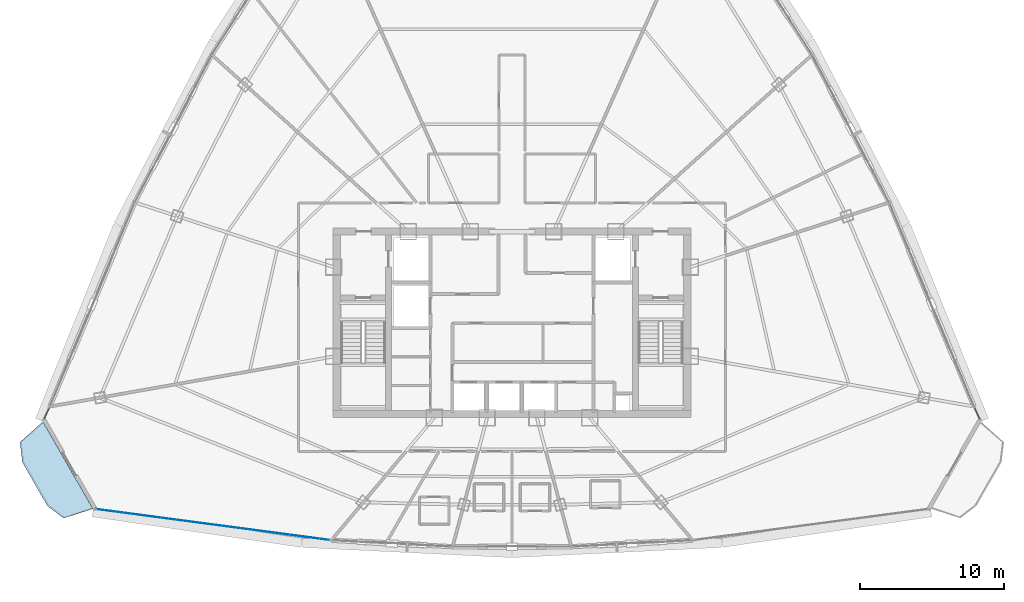
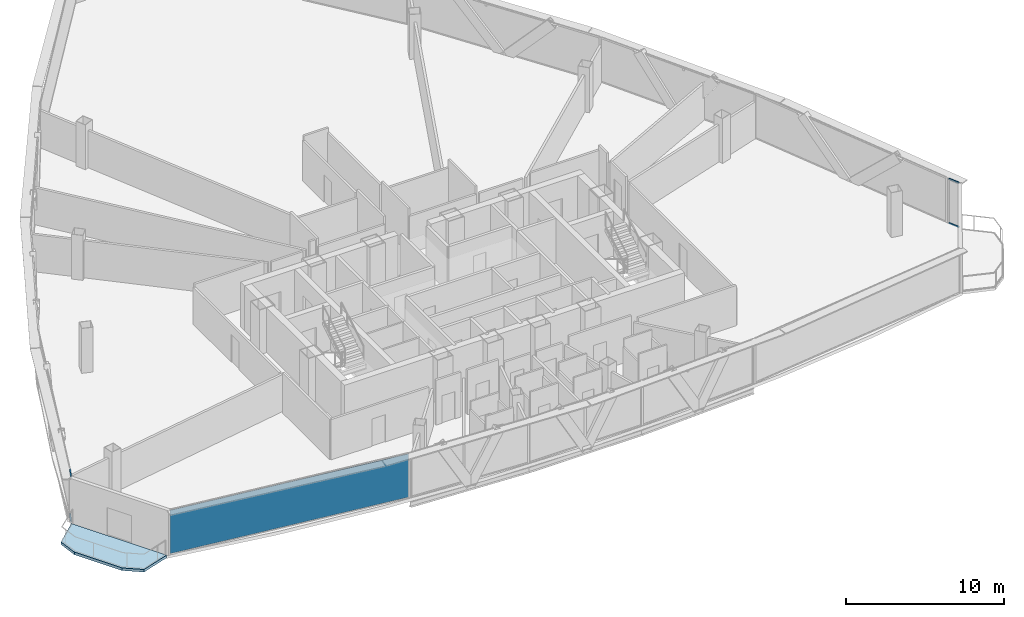
# One storey, part 27 of 37: 4 members, 1 plate, 1 slab, 3 elements without a shape of their own.
"""IFC4 building model written with IfcOpenShell, lengths in metres."""

from ifc_helpers import new_model, si_unit, direction, frame, origin, origin_2d, place, context, subcontext, project, spatial, polyline, rectangle, hollow_rectangle, outline, extrude, source, transform, mapped, material, layer, layer_set, material_profile, profile_set, type_object, element, aggregate, save


model = new_model("IFC4")

# Units and contexts
model_context = context("Model", 3, precision=1e-05, world=origin(), true_north=direction((0.0, 1.0)))
body_context = subcontext(model_context, "Body", "Model", "MODEL_VIEW")
ifc_project = project(units=[si_unit("LENGTHUNIT", "METRE"), si_unit("AREAUNIT", "SQUARE_METRE"), si_unit("VOLUMEUNIT", "CUBIC_METRE"), si_unit("PLANEANGLEUNIT", "RADIAN"), si_unit("MASSUNIT", "GRAM", prefix="KILO"), si_unit("THERMODYNAMICTEMPERATUREUNIT", "KELVIN"), si_unit("POWERUNIT", "WATT")], contexts=[model_context])

# Site, building, storey
site_placement = place(None, origin())
site = spatial("IfcSite", under=ifc_project, at=site_placement, CompositionType="ELEMENT")
building_placement = place(site_placement, origin())
building = spatial("IfcBuilding", under=site, at=building_placement, Name="Yunzhuo Pagoda Commons", CompositionType="ELEMENT")
storey_placement = place(building_placement, frame((0.0, 0.0, 281.2900390625)))
storey = spatial("IfcBuildingStorey", under=building, at=storey_placement, Name="L70", CompositionType="ELEMENT", Elevation=281.2900390625)

# Curtain wall, members
ifc_material_1 = material(Name="Anodized aluminium 6063-T6", Category="aluminium")
ifc_layer_1 = layer(ifc_material_1, 0.139892578125)
ifc_layer_set_1 = layer_set([ifc_layer_1], Name="Anodized aluminium 6063-T6")
curtain_wall_type = type_object("IfcCurtainWallType", Name="CW-HI High-Zone Ribbon Curtain Wall", PredefinedType="NOTDEFINED", material=ifc_layer_set_1)
curtain_wall_1_placement = place(storey_placement, origin())
curtain_wall_1 = element("IfcCurtainWall", 1, at=curtain_wall_1_placement, inside=storey, type_object=curtain_wall_type, Name="L70 curtain wall CW-L70-F2B1", PredefinedType="NOTDEFINED")
ifc_material_profile = material_profile(ifc_material_1, hollow_rectangle(XDim=0.054931640625, YDim=0.1201171875, WallThickness=0.00341796875, at=origin_2d()), Name="Anodized aluminium 6063-T6")
ifc_profile_set = profile_set([ifc_material_profile], Name="Anodized aluminium 6063-T6")
member_type = type_object("IfcMemberType", Name="CW-HI-T Transom RHS 120x55x3.5", PredefinedType="USERDEFINED", material=ifc_profile_set)
shared_shape_1 = source(origin(), body_context, "Body", "SweptSolid", [
    extrude(hollow_rectangle(XDim=0.054931640625, YDim=0.1201171875, WallThickness=0.00341796875, at=origin_2d()), origin(), (0.0, 0.0, 1.0), 0.802490234375),
])
member_1_placement = place(storey_placement, frame((80.54541015625, 27.180908203125, 0.02734375), z_axis=(-0.421602795033, 0.906780614714, 0.0), x_axis=(-0.906780614714, -0.421602795033, 0.0)))
member_1 = element("IfcMember", 2, at=member_1_placement, type_object=member_type, Name="CW transom 1.1", ObjectType="TRANSOM", PredefinedType="USERDEFINED", context=body_context, shape_type="MappedRepresentation", body=[
    mapped(shared_shape_1, transform((0.0, 0.0, 0.0), scale=1.0)),
])
member_2_placement = place(storey_placement, frame((80.54541015625, 27.180908203125, 3.4423828125), z_axis=(-0.421602795033, 0.906780614714, 0.0), x_axis=(-0.906780614714, -0.421602795033, 0.0)))
member_2 = element("IfcMember", 3, at=member_2_placement, type_object=member_type, Name="CW transom 1.2", ObjectType="TRANSOM", PredefinedType="USERDEFINED", context=body_context, shape_type="MappedRepresentation", body=[
    mapped(shared_shape_1, transform((0.0, 0.0, 0.0), scale=1.0)),
])
aggregate(curtain_wall_1, [member_1, member_2])

curtain_wall_2_placement = place(storey_placement, origin())
curtain_wall_2 = element("IfcCurtainWall", 4, at=curtain_wall_2_placement, inside=storey, type_object=curtain_wall_type, Name="L70 curtain wall CW-L70-F3B5", PredefinedType="NOTDEFINED")
member_3_placement = place(storey_placement, frame((15.79296875, 27.90869140625, 0.02734375), z_axis=(-0.421602795033, -0.906780614714, 0.0), x_axis=(0.906780614714, -0.421602795033, 0.0)))
member_3 = element("IfcMember", 5, at=member_3_placement, type_object=member_type, Name="CW transom 1.1", ObjectType="TRANSOM", PredefinedType="USERDEFINED", context=body_context, shape_type="MappedRepresentation", body=[
    mapped(shared_shape_1, transform((0.0, 0.0, 0.0), scale=1.0)),
])
member_4_placement = place(storey_placement, frame((15.79296875, 27.90869140625, 3.4423828125), z_axis=(-0.421602795033, -0.906780614714, 0.0), x_axis=(0.906780614714, -0.421602795033, 0.0)))
member_4 = element("IfcMember", 6, at=member_4_placement, type_object=member_type, Name="CW transom 1.2", ObjectType="TRANSOM", PredefinedType="USERDEFINED", context=body_context, shape_type="MappedRepresentation", body=[
    mapped(shared_shape_1, transform((0.0, 0.0, 0.0), scale=1.0)),
])
aggregate(curtain_wall_2, [member_3, member_4])

# Slab
ifc_material_2 = material(Name="Concrete C40", Category="concrete")
ifc_layer_2 = layer(ifc_material_2, 0.199951171875)
ifc_layer_set_2 = layer_set([ifc_layer_2], Name="Concrete C40")
slab_type = type_object("IfcSlabType", Name="SL-BAL Vertex Balcony Deck Slab 200", PredefinedType="FLOOR", material=ifc_layer_set_2)
slab_placement = place(storey_placement, frame((0.0, 0.0, -0.199951171875)))
element("IfcSlab", 7, at=slab_placement, inside=storey, type_object=slab_type, Name="L70 corner balcony V1", PredefinedType="FLOOR", context=body_context, shape_type="SweptSolid", body=[
    extrude(outline(polyline([(15.359619140625, 26.976806640625), (18.841796875, 20.912109375), (16.801025390625, 20.25927734375), (15.677490234375, 21.111328125), (13.936279296875, 24.1435546875), (13.766845703125, 25.54345703125), (15.359619140625, 26.976806640625)])), origin(), (0.0, 0.0, 1.0), 0.199951171875),
])

# Curtain wall, plate
curtain_wall_3_placement = place(storey_placement, origin())
curtain_wall_3 = element("IfcCurtainWall", 8, at=curtain_wall_3_placement, inside=storey, type_object=curtain_wall_type, Name="L70 curtain wall CW-L70-F1B1", PredefinedType="NOTDEFINED")
ifc_material_3 = material(Name="Tempered low-e double glazing", Category="glass")
ifc_layer_3 = layer(ifc_material_3, 0.02587890625)
ifc_layer_set_3 = layer_set([ifc_layer_3], Name="Tempered low-e double glazing")
plate_type = type_object("IfcPlateType", Name="CW-HI-P Low-E Double Glazing 26", PredefinedType="CURTAIN_PANEL", material=ifc_layer_set_3)
shared_shape_2 = source(origin(), body_context, "Body", "SweptSolid", [
    extrude(rectangle(XDim=16.37353515625, YDim=0.028076171875, at=origin_2d()), origin(), (0.0, 0.0, 1.0), 3.360107421875),
])
plate_placement = place(storey_placement, frame((27.181640625, 19.81396484375, 0.0546875), z_axis=(0.0, 0.0, 1.0), x_axis=(0.991341168318, -0.131311416098, 0.0)))
plate = element("IfcPlate", 9, at=plate_placement, type_object=plate_type, Name="CW panel 1.1", PredefinedType="CURTAIN_PANEL", context=body_context, shape_type="MappedRepresentation", body=[
    mapped(shared_shape_2, transform((0.0, 0.0, 0.0), scale=1.0)),
])
aggregate(curtain_wall_3, [plate])

save(model, "model.ifc")
